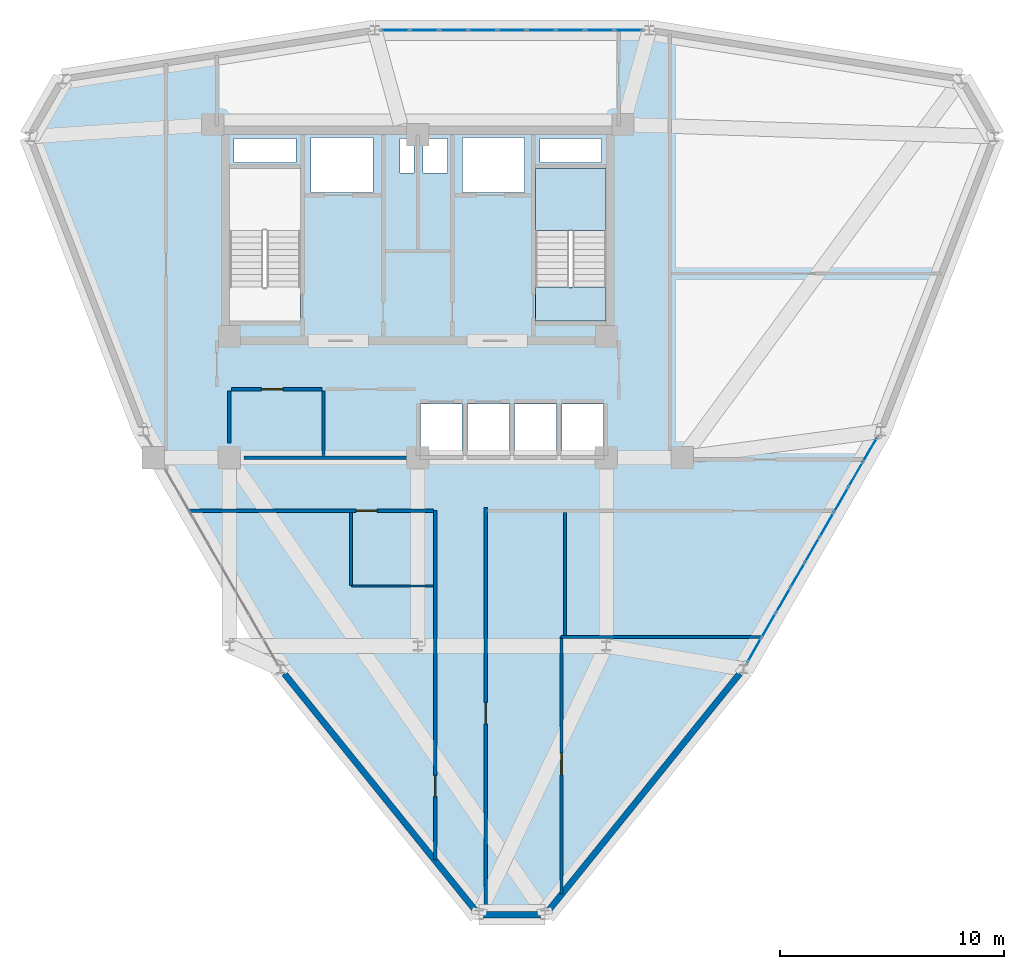
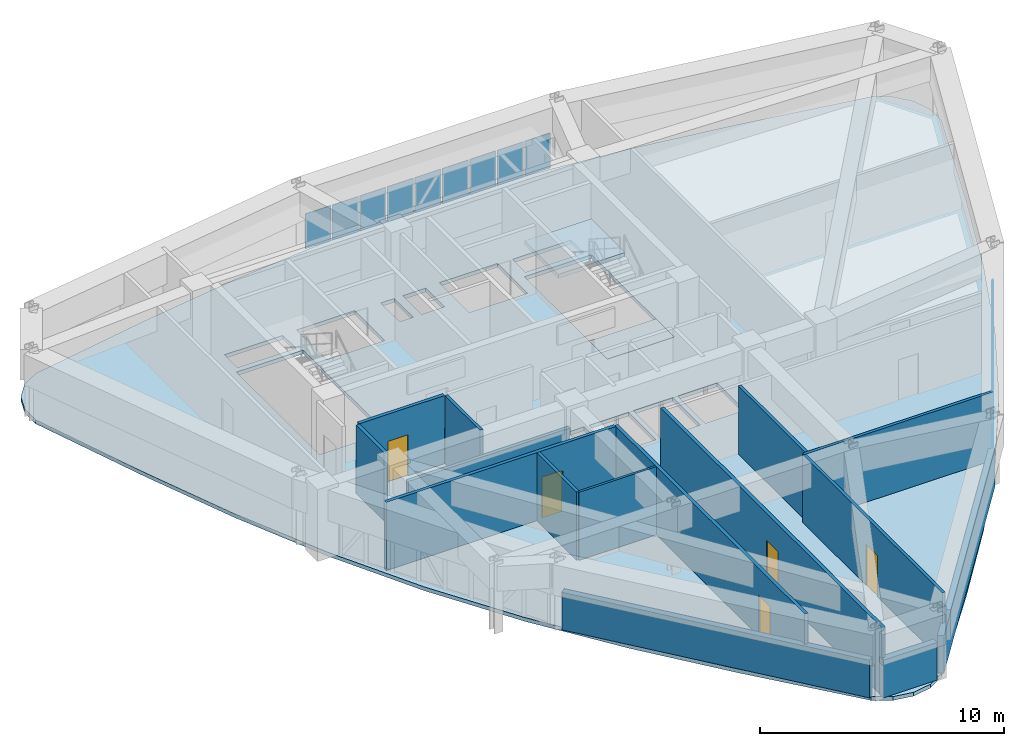
# One storey, part 16 of 19: 18 plates, 15 walls, 5 doors, 3 slabs, 5 openings, 3 elements without a shape of their own.
"""IFC4 building model written with IfcOpenShell, lengths in metres."""

from ifc_helpers import new_model, si_unit, derived_unit, direction, frame, frame_2d, origin, origin_2d, place, context, subcontext, project, spatial, polyline, rectangle, outline, extrude, source, transform, mapped, material, layer, layer_set, type_object, element, fill, aggregate, save


model = new_model("IFC4")

# Units and contexts
model_context = context("Model", 3, precision=1e-05, world=origin(), true_north=direction((0.0, 1.0)))
body_context = subcontext(model_context, "Body", "Model", "MODEL_VIEW")
ifc_project = project(units=[si_unit("LENGTHUNIT", "METRE"), si_unit("AREAUNIT", "SQUARE_METRE"), si_unit("VOLUMEUNIT", "CUBIC_METRE"), si_unit("PLANEANGLEUNIT", "RADIAN"), si_unit("MASSUNIT", "GRAM", prefix="KILO"), derived_unit("THERMALTRANSMITTANCEUNIT", [(si_unit("POWERUNIT", "WATT"), 1), (si_unit("LENGTHUNIT", "METRE"), -2), (si_unit("THERMODYNAMICTEMPERATUREUNIT", "KELVIN"), -1)])], contexts=[model_context])

# Site, building, storey
site_placement = place(None, origin())
site = spatial("IfcSite", under=ifc_project, at=site_placement, CompositionType="ELEMENT")
building_placement = place(site_placement, origin())
building = spatial("IfcBuilding", under=site, at=building_placement, Name="Korsvarv Bourse and Concert Hall", CompositionType="ELEMENT")
storey_placement = place(building_placement, frame((0.0, 0.0, 223.800048828125)))
storey = spatial("IfcBuildingStorey", under=building, at=storey_placement, Name="L58", CompositionType="ELEMENT", Elevation=223.800048828125)

# Slab
ifc_material_1 = material(Name="Precast concrete C45/55", Category="concrete")
ifc_layer_1 = layer(ifc_material_1, 0.199951171875)
ifc_layer_set_1 = layer_set([ifc_layer_1], Name="Precast concrete C45/55")
slab_type_1 = type_object("IfcSlabType", Name="SLB-FLND-T", PredefinedType="LANDING", material=ifc_layer_set_1)
slab_1_placement = place(storey_placement, frame((0.0, 0.0, -0.199951171875)))
element("IfcSlab", 1, at=slab_1_placement, inside=storey, type_object=slab_type_1, Name="L58 Stair ST-T2 Floor Landing Slab", PredefinedType="LANDING", context=body_context, shape_type="SweptSolid", body=[
    extrude(outline(polyline([(44.39990234375, 38.5), (44.39990234375, 40.0), (41.239990234375, 40.0), (41.239990234375, 38.5), (44.39990234375, 38.5)])), origin(), (0.0, 0.0, 1.0), 0.199951171875),
])

# Stair, slab
stair_type = type_object("IfcStairType", Name="STR-TYPE-04", PredefinedType="HALF_TURN_STAIR", material=ifc_material_1)
stair_placement = place(storey_placement, origin())
stair = element("IfcStair", 2, at=stair_placement, inside=storey, type_object=stair_type, Name="L58 Tower East Exit Stair ST-T2", PredefinedType="HALF_TURN_STAIR")
ifc_layer_2 = layer(ifc_material_1, 0.199951171875)
ifc_layer_set_2 = layer_set([ifc_layer_2], Name="Precast concrete C45/55")
slab_type_2 = type_object("IfcSlabType", Name="SLB-ST-LND", PredefinedType="LANDING", material=ifc_layer_set_2)
slab_2_placement = place(storey_placement, frame((0.0, 0.0, 1.599853515625)))
slab_2 = element("IfcSlab", 3, at=slab_2_placement, type_object=slab_type_2, Name="ST-T2 landing 1", PredefinedType="LANDING", context=body_context, shape_type="SweptSolid", body=[
    extrude(outline(polyline([(44.39990234375, 42.52001953125), (44.39990234375, 45.300048828125), (41.239990234375, 45.300048828125), (41.239990234375, 42.52001953125), (44.39990234375, 42.52001953125)])), origin(), (0.0, 0.0, 1.0), 0.2001953125),
])
aggregate(stair, [slab_2])

# Slab
ifc_material_2 = material(Name="Concrete C45/55", Category="concrete")
ifc_layer_3 = layer(ifc_material_2, 0.18994140625)
ifc_layer_set_3 = layer_set([ifc_layer_3], Name="Concrete C45/55")
slab_type_3 = type_object("IfcSlabType", Name="SLB-TW3", PredefinedType="FLOOR", material=ifc_layer_set_3)
slab_3_placement = place(storey_placement, frame((0.0, 0.0, -0.18994140625)))
element("IfcSlab", 4, at=slab_3_placement, inside=storey, type_object=slab_type_3, Name="L58 tower structural floor slab", PredefinedType="FLOOR", context=body_context, shape_type="SweptSolid", body=[
    extrude(outline(polyline([(61.281982421875, 45.464111328125), (59.653564453125, 40.964111328125), (57.922119140625, 36.548095703125), (55.994384765625, 32.265380859375), (53.80615234375, 28.14453125), (51.33154296875, 24.188720703125), (48.58642578125, 20.3779296875), (45.627685546875, 16.670654296875), (42.544677734375, 13.010498046875), (42.543701171875, 13.009033203125), (41.865478515625, 12.200927734375), (41.086181640625, 11.7509765625), (40.199951171875, 11.5947265625), (39.313720703125, 11.7509765625), (38.534423828125, 12.200927734375), (37.856201171875, 13.009033203125), (37.855224609375, 13.010498046875), (34.772216796875, 16.670654296875), (31.813720703125, 20.3779296875), (29.068603515625, 24.188720703125), (26.593994140625, 28.14453125), (24.405517578125, 32.265380859375), (22.477783203125, 36.548095703125), (20.74658203125, 40.964111328125), (19.1181640625, 45.464111328125), (19.117431640625, 45.4658203125), (18.756591796875, 46.457275390625), (18.756591796875, 47.35693359375), (19.064453125, 48.20263671875), (19.642822265625, 48.89208984375), (20.422119140625, 49.341796875), (21.461181640625, 49.525146484375), (21.462646484375, 49.525390625), (26.17431640625, 50.365234375), (30.8642578125, 51.073974609375), (35.537109375, 51.545654296875), (40.199951171875, 51.7109375), (44.863037109375, 51.545654296875), (49.535888671875, 51.073974609375), (54.2255859375, 50.365234375), (58.937255859375, 49.525390625), (58.93896484375, 49.525146484375), (59.977783203125, 49.341796875), (60.757080078125, 48.89208984375), (61.33544921875, 48.20263671875), (61.643310546875, 47.35693359375), (61.643310546875, 46.457275390625), (61.282470703125, 45.4658203125), (61.281982421875, 45.464111328125)]), holes=[polyline([(30.760009765625, 38.5), (30.760009765625, 45.300048828125), (27.60009765625, 45.300048828125), (27.60009765625, 38.5), (30.760009765625, 38.5)]), polyline([(44.39990234375, 38.5), (44.39990234375, 45.300048828125), (41.239990234375, 45.300048828125), (41.239990234375, 38.5), (44.39990234375, 38.5)]), polyline([(31.239990234375, 44.219970703125), (34.0, 44.219970703125), (34.0, 46.679931640625), (31.239990234375, 46.679931640625), (31.239990234375, 44.219970703125)]), polyline([(38.0, 44.219970703125), (40.760009765625, 44.219970703125), (40.760009765625, 46.679931640625), (38.0, 46.679931640625), (38.0, 44.219970703125)]), polyline([(36.1201171875, 32.52001953125), (37.97998046875, 32.52001953125), (37.97998046875, 34.780029296875), (36.1201171875, 34.780029296875), (36.1201171875, 32.52001953125)]), polyline([(38.219970703125, 32.52001953125), (40.080078125, 32.52001953125), (40.080078125, 34.780029296875), (38.219970703125, 34.780029296875), (38.219970703125, 32.52001953125)]), polyline([(40.320068359375, 32.52001953125), (42.179931640625, 32.52001953125), (42.179931640625, 34.780029296875), (40.320068359375, 34.780029296875), (40.320068359375, 32.52001953125)]), polyline([(42.419921875, 32.52001953125), (44.280029296875, 32.52001953125), (44.280029296875, 34.780029296875), (42.419921875, 34.780029296875), (42.419921875, 32.52001953125)]), polyline([(27.800048828125, 45.56005859375), (30.56005859375, 45.56005859375), (30.56005859375, 46.6201171875), (27.800048828125, 46.6201171875), (27.800048828125, 45.56005859375)]), polyline([(41.43994140625, 45.56005859375), (44.199951171875, 45.56005859375), (44.199951171875, 46.6201171875), (41.43994140625, 46.6201171875), (41.43994140625, 45.56005859375)]), polyline([(35.199951171875, 45.080078125), (35.840087890625, 45.080078125), (35.840087890625, 46.6201171875), (35.199951171875, 46.6201171875), (35.199951171875, 45.080078125)]), polyline([(36.239990234375, 45.080078125), (37.320068359375, 45.080078125), (37.320068359375, 46.6201171875), (36.239990234375, 46.6201171875), (36.239990234375, 45.080078125)])]), origin(), (0.0, 0.0, 1.0), 0.18994140625),
])

# Curtain wall, plates
ifc_material_3 = material(Name="Anodised aluminium and triple low-E glazing", Category="glass")
ifc_layer_4 = layer(ifc_material_3, 0.199951171875)
ifc_layer_set_4 = layer_set([ifc_layer_4], Name="Anodised aluminium and triple low-E glazing")
curtain_wall_type = type_object("IfcCurtainWallType", Name="CW-SYS-3", PredefinedType="NOTDEFINED", material=ifc_layer_set_4)
curtain_wall_1_placement = place(storey_placement, origin())
curtain_wall_1 = element("IfcCurtainWall", 5, at=curtain_wall_1_placement, inside=storey, type_object=curtain_wall_type, Name="L58 CW3 curtain wall CW-L58-F03", PredefinedType="NOTDEFINED")
ifc_material_4 = material(Name="Tempered triple insulated low-E architectural glass", Category="glass")
ifc_layer_5 = layer(ifc_material_4, 0.0380859375)
ifc_layer_set_5 = layer_set([ifc_layer_5], Name="Tempered triple insulated low-E architectural glass")
plate_type_1 = type_object("IfcPlateType", Name="CWP-VIS2", PredefinedType="CURTAIN_PANEL", material=ifc_layer_set_5)
shared_shape_1 = source(origin(), body_context, "Body", "SweptSolid", [
    extrude(rectangle(XDim=1.198486328125, YDim=0.0380859375, at=origin_2d()), origin(), (0.0, 0.0, 1.0), 1.75),
])
plate_1_placement = place(storey_placement, frame((45.396728515625, 51.449951171875, 0.06494140625), z_axis=(0.0, 0.0, 1.0), x_axis=(-1.0, 0.0, 0.0)))
plate_1 = element("IfcPlate", 6, at=plate_1_placement, type_object=plate_type_1, Name="CW3 faceted panel 1.1", PredefinedType="CURTAIN_PANEL", context=body_context, shape_type="MappedRepresentation", body=[
    mapped(shared_shape_1, transform((0.0, 0.0, 0.0), scale=1.0)),
])
plate_2_placement = place(storey_placement, frame((35.003173828125, 51.449951171875, 0.06494140625), z_axis=(0.0, 0.0, 1.0), x_axis=(-1.0, 0.0, 0.0)))
plate_2 = element("IfcPlate", 7, at=plate_2_placement, type_object=plate_type_1, Name="CW3 faceted panel 9.1", PredefinedType="CURTAIN_PANEL", context=body_context, shape_type="MappedRepresentation", body=[
    mapped(shared_shape_1, transform((0.0, 0.0, 0.0), scale=1.0)),
])
ifc_material_5 = material(Name="Insulated spandrel glass", Category="glass")
ifc_layer_6 = layer(ifc_material_5, 0.031982421875)
ifc_layer_set_6 = layer_set([ifc_layer_6], Name="Insulated spandrel glass")
plate_type_2 = type_object("IfcPlateType", Name="CWP-SPD1", PredefinedType="CURTAIN_PANEL", material=ifc_layer_set_6)
shared_shape_2 = source(origin(), body_context, "Body", "SweptSolid", [
    extrude(rectangle(XDim=1.233642578125, YDim=0.031982421875, at=origin_2d()), origin(), (0.0, 0.0, 1.0), 1.75),
])
plate_3_placement = place(storey_placement, frame((44.110595703125, 51.449951171875, 0.06494140625), z_axis=(0.0, 0.0, 1.0), x_axis=(-1.0, 0.0, 0.0)))
plate_3 = element("IfcPlate", 8, at=plate_3_placement, type_object=plate_type_2, Name="CW3 spandrel shadow-box panel 2.1", PredefinedType="CURTAIN_PANEL", context=body_context, shape_type="MappedRepresentation", body=[
    mapped(shared_shape_2, transform((0.0, 0.0, 0.0), scale=1.0)),
])
plate_4_placement = place(storey_placement, frame((40.199951171875, 51.449951171875, 0.06494140625), z_axis=(0.0, 0.0, 1.0), x_axis=(-1.0, 0.0, 0.0)))
plate_4 = element("IfcPlate", 9, at=plate_4_placement, type_object=plate_type_2, Name="CW3 spandrel shadow-box panel 5.1", PredefinedType="CURTAIN_PANEL", context=body_context, shape_type="MappedRepresentation", body=[
    mapped(shared_shape_2, transform((0.0, 0.0, 0.0), scale=1.0)),
])
plate_5_placement = place(storey_placement, frame((36.289306640625, 51.449951171875, 0.06494140625), z_axis=(0.0, 0.0, 1.0), x_axis=(-1.0, 0.0, 0.0)))
plate_5 = element("IfcPlate", 10, at=plate_5_placement, type_object=plate_type_2, Name="CW3 spandrel shadow-box panel 8.1", PredefinedType="CURTAIN_PANEL", context=body_context, shape_type="MappedRepresentation", body=[
    mapped(shared_shape_2, transform((0.0, 0.0, 0.0), scale=1.0)),
])
shared_shape_3 = source(origin(), body_context, "Body", "SweptSolid", [
    extrude(rectangle(XDim=1.233642578125, YDim=0.0380859375, at=origin_2d()), origin(), (0.0, 0.0, 1.0), 1.75),
])
plate_6_placement = place(storey_placement, frame((42.80712890625, 51.449951171875, 0.06494140625), z_axis=(0.0, 0.0, 1.0), x_axis=(-1.0, 0.0, 0.0)))
plate_6 = element("IfcPlate", 11, at=plate_6_placement, type_object=plate_type_1, Name="CW3 faceted panel 3.1", PredefinedType="CURTAIN_PANEL", context=body_context, shape_type="MappedRepresentation", body=[
    mapped(shared_shape_3, transform((0.0, 0.0, 0.0), scale=1.0)),
])
plate_7_placement = place(storey_placement, frame((41.503662109375, 51.449951171875, 0.06494140625), z_axis=(0.0, 0.0, 1.0), x_axis=(-1.0, 0.0, 0.0)))
plate_7 = element("IfcPlate", 12, at=plate_7_placement, type_object=plate_type_1, Name="CW3 faceted panel 4.1", PredefinedType="CURTAIN_PANEL", context=body_context, shape_type="MappedRepresentation", body=[
    mapped(shared_shape_3, transform((0.0, 0.0, 0.0), scale=1.0)),
])
plate_8_placement = place(storey_placement, frame((38.896484375, 51.449951171875, 0.06494140625), z_axis=(0.0, 0.0, 1.0), x_axis=(-1.0, 0.0, 0.0)))
plate_8 = element("IfcPlate", 13, at=plate_8_placement, type_object=plate_type_1, Name="CW3 faceted panel 6.1", PredefinedType="CURTAIN_PANEL", context=body_context, shape_type="MappedRepresentation", body=[
    mapped(shared_shape_3, transform((0.0, 0.0, 0.0), scale=1.0)),
])
plate_9_placement = place(storey_placement, frame((37.5927734375, 51.449951171875, 0.06494140625), z_axis=(0.0, 0.0, 1.0), x_axis=(-1.0, 0.0, 0.0)))
plate_9 = element("IfcPlate", 14, at=plate_9_placement, type_object=plate_type_1, Name="CW3 faceted panel 7.1", PredefinedType="CURTAIN_PANEL", context=body_context, shape_type="MappedRepresentation", body=[
    mapped(shared_shape_3, transform((0.0, 0.0, 0.0), scale=1.0)),
])
aggregate(curtain_wall_1, [plate_1, plate_3, plate_6, plate_7, plate_4, plate_8, plate_9, plate_5, plate_2])

curtain_wall_2_placement = place(storey_placement, origin())
curtain_wall_2 = element("IfcCurtainWall", 15, at=curtain_wall_2_placement, inside=storey, type_object=curtain_wall_type, Name="L58 CW3 curtain wall CW-L58-F11", PredefinedType="NOTDEFINED")
shared_shape_4 = source(origin(), body_context, "Body", "SweptSolid", [
    extrude(rectangle(XDim=1.1884765625, YDim=0.0380859375, at=origin_2d()), origin(), (0.0, 0.0, 1.0), 1.75),
])
plate_10_placement = place(storey_placement, frame((51.001708984375, 23.80908203125, 0.06494140625), z_axis=(0.0, 0.0, 1.0), x_axis=(0.499992358293, 0.866029815681, 0.0)))
plate_10 = element("IfcPlate", 16, at=plate_10_placement, type_object=plate_type_1, Name="CW3 faceted panel 1.1", PredefinedType="CURTAIN_PANEL", context=body_context, shape_type="MappedRepresentation", body=[
    mapped(shared_shape_4, transform((0.0, 0.0, 0.0), scale=1.0)),
])
plate_11_placement = place(storey_placement, frame((56.158447265625, 32.740966796875, 0.06494140625), z_axis=(0.0, 0.0, 1.0), x_axis=(0.499992358293, 0.866029815681, 0.0)))
plate_11 = element("IfcPlate", 17, at=plate_11_placement, type_object=plate_type_1, Name="CW3 faceted panel 9.1", PredefinedType="CURTAIN_PANEL", context=body_context, shape_type="MappedRepresentation", body=[
    mapped(shared_shape_4, transform((0.0, 0.0, 0.0), scale=1.0)),
])
shared_shape_5 = source(origin(), body_context, "Body", "SweptSolid", [
    extrude(rectangle(XDim=1.2236328125, YDim=0.031982421875, at=origin_2d()), origin(), (0.0, 0.0, 1.0), 1.75),
])
plate_12_placement = place(storey_placement, frame((51.6396484375, 24.914306640625, 0.06494140625), z_axis=(0.0, 0.0, 1.0), x_axis=(0.499992358293, 0.866029815681, 0.0)))
plate_12 = element("IfcPlate", 18, at=plate_12_placement, type_object=plate_type_2, Name="CW3 spandrel shadow-box panel 2.1", PredefinedType="CURTAIN_PANEL", context=body_context, shape_type="MappedRepresentation", body=[
    mapped(shared_shape_5, transform((0.0, 0.0, 0.0), scale=1.0)),
])
plate_13_placement = place(storey_placement, frame((53.580078125, 28.275146484375, 0.06494140625), z_axis=(0.0, 0.0, 1.0), x_axis=(0.499992358293, 0.866029815681, 0.0)))
plate_13 = element("IfcPlate", 19, at=plate_13_placement, type_object=plate_type_2, Name="CW3 spandrel shadow-box panel 5.1", PredefinedType="CURTAIN_PANEL", context=body_context, shape_type="MappedRepresentation", body=[
    mapped(shared_shape_5, transform((0.0, 0.0, 0.0), scale=1.0)),
])
plate_14_placement = place(storey_placement, frame((55.520263671875, 31.6357421875, 0.06494140625), z_axis=(0.0, 0.0, 1.0), x_axis=(0.499992358293, 0.866029815681, 0.0)))
plate_14 = element("IfcPlate", 20, at=plate_14_placement, type_object=plate_type_2, Name="CW3 spandrel shadow-box panel 8.1", PredefinedType="CURTAIN_PANEL", context=body_context, shape_type="MappedRepresentation", body=[
    mapped(shared_shape_5, transform((0.0, 0.0, 0.0), scale=1.0)),
])
shared_shape_6 = source(origin(), body_context, "Body", "SweptSolid", [
    extrude(rectangle(XDim=1.2236328125, YDim=0.0380859375, at=origin_2d()), origin(), (0.0, 0.0, 1.0), 1.75),
])
plate_15_placement = place(storey_placement, frame((52.28662109375, 26.034423828125, 0.06494140625), z_axis=(0.0, 0.0, 1.0), x_axis=(0.499992358293, 0.866029815681, 0.0)))
plate_15 = element("IfcPlate", 21, at=plate_15_placement, type_object=plate_type_1, Name="CW3 faceted panel 3.1", PredefinedType="CURTAIN_PANEL", context=body_context, shape_type="MappedRepresentation", body=[
    mapped(shared_shape_6, transform((0.0, 0.0, 0.0), scale=1.0)),
])
plate_16_placement = place(storey_placement, frame((52.933349609375, 27.15478515625, 0.06494140625), z_axis=(0.0, 0.0, 1.0), x_axis=(0.499992358293, 0.866029815681, 0.0)))
plate_16 = element("IfcPlate", 22, at=plate_16_placement, type_object=plate_type_1, Name="CW3 faceted panel 4.1", PredefinedType="CURTAIN_PANEL", context=body_context, shape_type="MappedRepresentation", body=[
    mapped(shared_shape_6, transform((0.0, 0.0, 0.0), scale=1.0)),
])
plate_17_placement = place(storey_placement, frame((54.226806640625, 29.395263671875, 0.06494140625), z_axis=(0.0, 0.0, 1.0), x_axis=(0.499992358293, 0.866029815681, 0.0)))
plate_17 = element("IfcPlate", 23, at=plate_17_placement, type_object=plate_type_1, Name="CW3 faceted panel 6.1", PredefinedType="CURTAIN_PANEL", context=body_context, shape_type="MappedRepresentation", body=[
    mapped(shared_shape_6, transform((0.0, 0.0, 0.0), scale=1.0)),
])
plate_18_placement = place(storey_placement, frame((54.87353515625, 30.515625, 0.06494140625), z_axis=(0.0, 0.0, 1.0), x_axis=(0.499992358293, 0.866029815681, 0.0)))
plate_18 = element("IfcPlate", 24, at=plate_18_placement, type_object=plate_type_1, Name="CW3 faceted panel 7.1", PredefinedType="CURTAIN_PANEL", context=body_context, shape_type="MappedRepresentation", body=[
    mapped(shared_shape_6, transform((0.0, 0.0, 0.0), scale=1.0)),
])
aggregate(curtain_wall_2, [plate_10, plate_12, plate_15, plate_16, plate_13, plate_17, plate_18, plate_14, plate_11])

# Walls
ifc_material_6 = material(Name="Precast concrete C45/55 with terracotta rainscreen", Category="concrete")
ifc_layer_7 = layer(ifc_material_6, 0.300048828125)
ifc_layer_set_7 = layer_set([ifc_layer_7], Name="Precast concrete C45/55 with terracotta rainscreen")
wall_type_1 = type_object("IfcWallType", Name="WL-EXT-TC1", PredefinedType="SOLIDWALL", material=ifc_layer_set_7)
wall_1_placement = place(storey_placement, frame((38.92822265625, 12.020263671875, 0.0), z_axis=(0.0, 0.0, 1.0), x_axis=(1.0, 0.0, 0.0)))
element("IfcWall", 25, at=wall_1_placement, inside=storey, type_object=wall_type_1, Name="L58 terracotta exterior wall EW-L58-B09", PredefinedType="SOLIDWALL", context=body_context, shape_type="SweptSolid", body=[
    extrude(rectangle(XDim=2.54345703125, YDim=0.300048828125, at=frame_2d((1.271728515625, 0.0))), origin(), (0.0, 0.0, 1.0), 1.8798828125),
])
ifc_material_7 = material(Name="Precast concrete C45/55 with fluted terracotta pier", Category="concrete")
ifc_layer_8 = layer(ifc_material_7, 0.280029296875)
ifc_layer_set_8 = layer_set([ifc_layer_8], Name="Precast concrete C45/55 with fluted terracotta pier")
wall_type_2 = type_object("IfcWallType", Name="WL-EXT-TC2", PredefinedType="SOLIDWALL", material=ifc_layer_set_8)
for number, where, z_axis, x_axis, name in (
    (26, (30.05126953125, 22.762939453125, 0.0), (0.0, 0.0, 1.0), (0.627990128971, -0.778221303946, 0.0), "L58 terracotta exterior wall EW-L58-B08"),
    (27, (41.851806640625, 12.233154296875, 0.0), (0.0, 0.0, 1.0), (0.627979201057, 0.778230122162, 0.0), "L58 terracotta exterior wall EW-L58-B10"),
):
    element("IfcWall", number, at=place(storey_placement, frame(where, z_axis=z_axis, x_axis=x_axis)), inside=storey, type_object=wall_type_2, Name=name, PredefinedType="SOLIDWALL", context=body_context, shape_type="SweptSolid", body=[
        extrude(rectangle(XDim=13.530517578125, YDim=0.280029296875, at=frame_2d((6.76513671875, 0.0))), origin(), (0.0, 0.0, 1.0), 1.8798828125),
    ])
ifc_material_8 = material(Name="Double-stud fire-rated acoustic partition", Category="gypsum")
ifc_layer_9 = layer(ifc_material_8, 0.159912109375)
ifc_layer_set_9 = layer_set([ifc_layer_9], Name="Double-stud fire-rated acoustic partition")
wall_type_3 = type_object("IfcWallType", Name="WL-INT-EI60", PredefinedType="PARTITIONING", material=ifc_layer_set_9)
wall_2_placement = place(storey_placement, frame((28.25, 32.39990234375, 0.0), z_axis=(0.0, 0.0, 1.0), x_axis=(1.0, 0.0, 0.0)))
element("IfcWall", 28, at=wall_2_placement, inside=storey, type_object=wall_type_3, Name="L58 interior partition wall W-L58-FRD-S", PredefinedType="PARTITIONING", context=body_context, shape_type="SweptSolid", body=[
    extrude(rectangle(XDim=7.64990234375, YDim=0.159912109375, at=frame_2d((3.824951171875, 0.0))), origin(), (0.0, 0.0, 1.0), 2.169921875),
])
wall_3_placement = place(storey_placement, frame((27.60009765625, 33.050048828125, 0.0), z_axis=(0.0, 0.0, 1.0), x_axis=(0.0, 1.0, 0.0)))
element("IfcWall", 29, at=wall_3_placement, inside=storey, type_object=wall_type_3, Name="L58 interior partition wall W-L58-FRD-W", PredefinedType="PARTITIONING", context=body_context, shape_type="SweptSolid", body=[
    extrude(rectangle(XDim=2.31005859375, YDim=0.159912109375, at=frame_2d((1.155029296875, 0.0))), origin(), (0.0, 0.0, 1.0), 3.409912109375),
])

# Wall, opening, door
wall_4_placement = place(storey_placement, frame((27.68994140625, 35.449951171875, 0.0), z_axis=(0.0, 0.0, 1.0), x_axis=(1.0, 0.0, 0.0)))
wall_4 = element("IfcWall", 30, at=wall_4_placement, inside=storey, type_object=wall_type_3, Name="L58 interior partition wall W-L58-FRD-N1", PredefinedType="PARTITIONING", context=body_context, shape_type="SweptSolid", body=[
    extrude(rectangle(XDim=4.030029296875, YDim=0.159912109375, at=frame_2d((2.01513671875, 0.0))), origin(), (0.0, 0.0, 1.0), 3.409912109375),
])
opening_1_placement = place(wall_4_placement, frame((1.35009765625, 0.0, 0.0)))
opening_1 = element("IfcOpeningElement", 31, at=opening_1_placement, cuts=wall_4, Name="Opening D-03", PredefinedType="OPENING", context=body_context, shape_type="SweptSolid", body=[
    extrude(rectangle(XDim=0.949951171875, YDim=2.050048828125, at=frame_2d((0.47509765625, 1.02490234375))), frame((0.0, 0.08984375, 0.0), z_axis=(0.0, -1.0, 0.0), x_axis=(1.0, 0.0, 0.0)), (0.0, 0.0, 1.0), 0.179931640625),
])
ifc_material_9 = material(Name="Nordic oak acoustic office door", Category="wood")
door_type_1 = type_object("IfcDoorType", Name="DR-INT-1", OperationType="NOTDEFINED", PredefinedType="DOOR", material=ifc_material_9)
door_1_placement = place(opening_1_placement, origin())
door_1 = element("IfcDoor", 32, at=door_1_placement, inside=storey, type_object=door_type_1, Name="L58 interior door DR-L58-FRDN1", OperationType="SINGLE_SWING_LEFT", OverallHeight=2.050048828125, OverallWidth=0.949951171875, PredefinedType="DOOR", context=body_context, shape_type="SweptSolid", body=[
    extrude(rectangle(XDim=0.949951171875, YDim=2.050048828125, at=frame_2d((0.47509765625, 1.02490234375))), frame((0.0, 0.02490234375, 0.0), z_axis=(0.0, -1.0, 0.0), x_axis=(1.0, 0.0, 0.0)), (0.0, 0.0, 1.0), 0.050048828125),
])
fill(opening_1, door_1)

wall_5_placement = place(storey_placement, frame((39.02490234375, 12.040283203125, 0.0), z_axis=(0.0, 0.0, 1.0), x_axis=(0.0, 1.0, 0.0)))
wall_5 = element("IfcWall", 33, at=wall_5_placement, inside=storey, type_object=wall_type_3, Name="L58 interior partition wall W-L58-TCOR-02", PredefinedType="PARTITIONING", context=body_context, shape_type="SweptSolid", body=[
    extrude(rectangle(XDim=18.1396484375, YDim=0.159912109375, at=frame_2d((9.06982421875, 0.0))), origin(), (0.0, 0.0, 1.0), 3.409912109375),
])
opening_2_placement = place(wall_5_placement, frame((8.4873046875, 0.0, 0.0)))
opening_2 = element("IfcOpeningElement", 34, at=opening_2_placement, cuts=wall_5, Name="Opening D-02", PredefinedType="OPENING", context=body_context, shape_type="SweptSolid", body=[
    extrude(rectangle(XDim=0.949951171875, YDim=2.050048828125, at=frame_2d((0.47509765625, 1.02490234375))), frame((0.0, 0.08984375, 0.0), z_axis=(0.0, -1.0, 0.0), x_axis=(1.0, 0.0, 0.0)), (0.0, 0.0, 1.0), 0.179931640625),
])
ifc_material_10 = material(Name="Timber and steel acoustic fire door", Category="wood")
door_type_2 = type_object("IfcDoorType", Name="DR-FD30", OperationType="NOTDEFINED", PredefinedType="DOOR", material=ifc_material_10)
door_2_placement = place(opening_2_placement, origin())
door_2 = element("IfcDoor", 35, at=door_2_placement, inside=storey, type_object=door_type_2, Name="L58 interior door DR-L58-TCOR-PH23", OperationType="SINGLE_SWING_LEFT", OverallHeight=2.050048828125, OverallWidth=0.949951171875, PredefinedType="DOOR", context=body_context, shape_type="SweptSolid", body=[
    extrude(rectangle(XDim=0.949951171875, YDim=2.050048828125, at=frame_2d((0.47509765625, 1.02490234375))), frame((0.0, 0.02490234375, 0.0), z_axis=(0.0, -1.0, 0.0), x_axis=(1.0, 0.0, 0.0)), (0.0, 0.0, 1.0), 0.050048828125),
])
fill(opening_2, door_2)

wall_6_placement = place(storey_placement, frame((36.77490234375, 14.45068359375, 0.0), z_axis=(0.0, 0.0, 1.0), x_axis=(0.0, 1.0, 0.0)))
wall_6 = element("IfcWall", 36, at=wall_6_placement, inside=storey, type_object=wall_type_3, Name="L58 interior partition wall W-L58-TCOR-05", PredefinedType="PARTITIONING", context=body_context, shape_type="SweptSolid", body=[
    extrude(rectangle(XDim=15.579345703125, YDim=0.159912109375, at=frame_2d((7.78955078125, 0.0))), origin(), (0.0, 0.0, 1.0), 3.409912109375),
])
opening_3_placement = place(wall_6_placement, frame((2.835205078125, 0.0, 0.0)))
opening_3 = element("IfcOpeningElement", 37, at=opening_3_placement, cuts=wall_6, Name="Opening D-02", PredefinedType="OPENING", context=body_context, shape_type="SweptSolid", body=[
    extrude(rectangle(XDim=0.949951171875, YDim=2.050048828125, at=frame_2d((0.47509765625, 1.02490234375))), frame((0.0, 0.08984375, 0.0), z_axis=(0.0, -1.0, 0.0), x_axis=(1.0, 0.0, 0.0)), (0.0, 0.0, 1.0), 0.179931640625),
])
door_3_placement = place(opening_3_placement, origin())
door_3 = element("IfcDoor", 38, at=door_3_placement, inside=storey, type_object=door_type_2, Name="L58 interior door DR-L58-TCOR-PH47", OperationType="SINGLE_SWING_RIGHT", OverallHeight=2.050048828125, OverallWidth=0.949951171875, PredefinedType="DOOR", context=body_context, shape_type="SweptSolid", body=[
    extrude(rectangle(XDim=0.949951171875, YDim=2.050048828125, at=frame_2d((0.47509765625, 1.02490234375))), frame((0.0, 0.02490234375, 0.0), z_axis=(0.0, -1.0, 0.0), x_axis=(1.0, 0.0, 0.0)), (0.0, 0.0, 1.0), 0.050048828125),
])
fill(opening_3, door_3)

wall_7_placement = place(storey_placement, frame((25.82958984375, 30.02490234375, 0.0), z_axis=(0.0, 0.0, 1.0), x_axis=(1.0, 0.0, 0.0)))
wall_7 = element("IfcWall", 39, at=wall_7_placement, inside=storey, type_object=wall_type_3, Name="L58 interior partition wall W-L58-TCOR-06", PredefinedType="PARTITIONING", context=body_context, shape_type="SweptSolid", body=[
    extrude(rectangle(XDim=10.863525390625, YDim=0.159912109375, at=frame_2d((5.431640625, 0.0))), origin(), (0.0, 0.0, 1.0), 3.409912109375),
])
opening_4_placement = place(wall_7_placement, frame((7.410400390625, 0.0, 0.0)))
opening_4 = element("IfcOpeningElement", 40, at=opening_4_placement, cuts=wall_7, Name="Opening D-02", PredefinedType="OPENING", context=body_context, shape_type="SweptSolid", body=[
    extrude(rectangle(XDim=0.949951171875, YDim=2.050048828125, at=frame_2d((0.47509765625, 1.02490234375))), frame((0.0, 0.08984375, 0.0), z_axis=(0.0, -1.0, 0.0), x_axis=(1.0, 0.0, 0.0)), (0.0, 0.0, 1.0), 0.179931640625),
])
door_4_placement = place(opening_4_placement, origin())
door_4 = element("IfcDoor", 41, at=door_4_placement, inside=storey, type_object=door_type_2, Name="L58 interior door DR-L58-TCOR-RWC", OperationType="SINGLE_SWING_LEFT", OverallHeight=2.050048828125, OverallWidth=0.949951171875, PredefinedType="DOOR", context=body_context, shape_type="SweptSolid", body=[
    extrude(rectangle(XDim=0.949951171875, YDim=2.050048828125, at=frame_2d((0.47509765625, 1.02490234375))), frame((0.0, 0.02490234375, 0.0), z_axis=(0.0, -1.0, 0.0), x_axis=(1.0, 0.0, 0.0)), (0.0, 0.0, 1.0), 0.050048828125),
])
fill(opening_4, door_4)

# Walls
ifc_material_11 = material(Name="Demountable acoustic glass and aluminium dealing partition", Category="aluminium")
ifc_layer_10 = layer(ifc_material_11, 0.110107421875)
ifc_layer_set_10 = layer_set([ifc_layer_10], Name="Demountable acoustic glass and aluminium dealing partition")
wall_type_4 = type_object("IfcWallType", Name="WL-INT-MOV", PredefinedType="MOVABLE", material=ifc_layer_set_10)
wall_8_placement = place(storey_placement, frame((33.0400390625, 26.675048828125, 0.0), z_axis=(0.0, 0.0, 1.0), x_axis=(1.0, 0.0, 0.0)))
element("IfcWall", 42, at=wall_8_placement, inside=storey, type_object=wall_type_4, Name="L58 interior partition wall W-L58-TCOR-14", PredefinedType="MOVABLE", context=body_context, shape_type="SweptSolid", body=[
    extrude(rectangle(XDim=3.653076171875, YDim=0.110107421875, at=frame_2d((1.82666015625, 0.0))), origin(), (0.0, 0.0, 1.0), 3.409912109375),
])
ifc_material_12 = material(Name="Insulated steel-stud office acoustic partition", Category="gypsum")
ifc_layer_11 = layer(ifc_material_12, 0.139892578125)
ifc_layer_set_11 = layer_set([ifc_layer_11], Name="Insulated steel-stud office acoustic partition")
wall_type_5 = type_object("IfcWallType", Name="WL-INT-P1", PredefinedType="PARTITIONING", material=ifc_layer_set_11)
wall_9_placement = place(storey_placement, frame((31.800048828125, 32.489990234375, 0.0), z_axis=(0.0, 0.0, 1.0), x_axis=(0.0, 1.0, 0.0)))
element("IfcWall", 43, at=wall_9_placement, inside=storey, type_object=wall_type_5, Name="L58 interior partition wall W-L58-FRD-V", PredefinedType="PARTITIONING", context=body_context, shape_type="SweptSolid", body=[
    extrude(rectangle(XDim=2.8701171875, YDim=0.139892578125, at=frame_2d((1.43505859375, 0.0))), origin(), (0.0, 0.0, 1.0), 3.409912109375),
])

# Wall, opening, door
wall_10_placement = place(storey_placement, frame((42.405029296875, 12.93896484375, 0.0), z_axis=(0.0, 0.0, 1.0), x_axis=(0.0, 1.0, 0.0)))
wall_10 = element("IfcWall", 44, at=wall_10_placement, inside=storey, type_object=wall_type_5, Name="L58 interior partition wall W-L58-TCOR-11", PredefinedType="PARTITIONING", context=body_context, shape_type="SweptSolid", body=[
    extrude(rectangle(XDim=11.450927734375, YDim=0.139892578125, at=frame_2d((5.7255859375, 0.0))), origin(), (0.0, 0.0, 1.0), 3.409912109375),
])
opening_5_placement = place(wall_10_placement, frame((5.318115234375, 0.0, 0.0)))
opening_5 = element("IfcOpeningElement", 45, at=opening_5_placement, cuts=wall_10, Name="Opening D-03", PredefinedType="OPENING", context=body_context, shape_type="SweptSolid", body=[
    extrude(rectangle(XDim=0.949951171875, YDim=2.050048828125, at=frame_2d((0.47509765625, 1.02490234375))), frame((0.0, 0.080078125, 0.0), z_axis=(0.0, -1.0, 0.0), x_axis=(1.0, 0.0, 0.0)), (0.0, 0.0, 1.0), 0.159912109375),
])
door_5_placement = place(opening_5_placement, origin())
door_5 = element("IfcDoor", 46, at=door_5_placement, inside=storey, type_object=door_type_1, Name="L58 interior door DR-L58-TCOR-PH14", OperationType="SINGLE_SWING_LEFT", OverallHeight=2.050048828125, OverallWidth=0.949951171875, PredefinedType="DOOR", context=body_context, shape_type="SweptSolid", body=[
    extrude(rectangle(XDim=0.949951171875, YDim=2.050048828125, at=frame_2d((0.47509765625, 1.02490234375))), frame((0.0, 0.02490234375, 0.0), z_axis=(0.0, -1.0, 0.0), x_axis=(1.0, 0.0, 0.0)), (0.0, 0.0, 1.0), 0.050048828125),
])
fill(opening_5, door_5)

# Walls
wall_11_placement = place(storey_placement, frame((42.389892578125, 24.405029296875, 0.0), z_axis=(0.0, 0.0, 1.0), x_axis=(1.0, 0.0, 0.0)))
element("IfcWall", 47, at=wall_11_placement, inside=storey, type_object=wall_type_5, Name="L58 interior partition wall W-L58-TCOR-12", PredefinedType="PARTITIONING", context=body_context, shape_type="SweptSolid", body=[
    extrude(rectangle(XDim=8.935791015625, YDim=0.139892578125, at=frame_2d((4.4677734375, 0.0))), origin(), (0.0, 0.0, 1.0), 3.409912109375),
])
wall_12_placement = place(storey_placement, frame((42.564208984375, 29.943115234375, 0.0), z_axis=(0.0, 0.0, 1.0), x_axis=(0.000133994371, -0.999999991023, 0.0)))
element("IfcWall", 48, at=wall_12_placement, inside=storey, type_object=wall_type_5, Name="L58 interior partition wall W-L58-TCOR-13", PredefinedType="PARTITIONING", context=body_context, shape_type="SweptSolid", body=[
    extrude(rectangle(XDim=5.466064453125, YDim=0.139892578125, at=frame_2d((2.73291015625, 0.0))), origin(), (0.0, 0.0, 1.0), 3.409912109375),
])
wall_13_placement = place(storey_placement, frame((33.02490234375, 26.68994140625, 0.0), z_axis=(0.0, 0.0, 1.0), x_axis=(0.0, 1.0, 0.0)))
element("IfcWall", 49, at=wall_13_placement, inside=storey, type_object=wall_type_5, Name="L58 interior partition wall W-L58-TCOR-15", PredefinedType="PARTITIONING", context=body_context, shape_type="SweptSolid", body=[
    extrude(rectangle(XDim=3.253173828125, YDim=0.139892578125, at=frame_2d((1.62646484375, 0.0))), origin(), (0.0, 0.0, 1.0), 3.409912109375),
])

save(model, "model.ifc")
